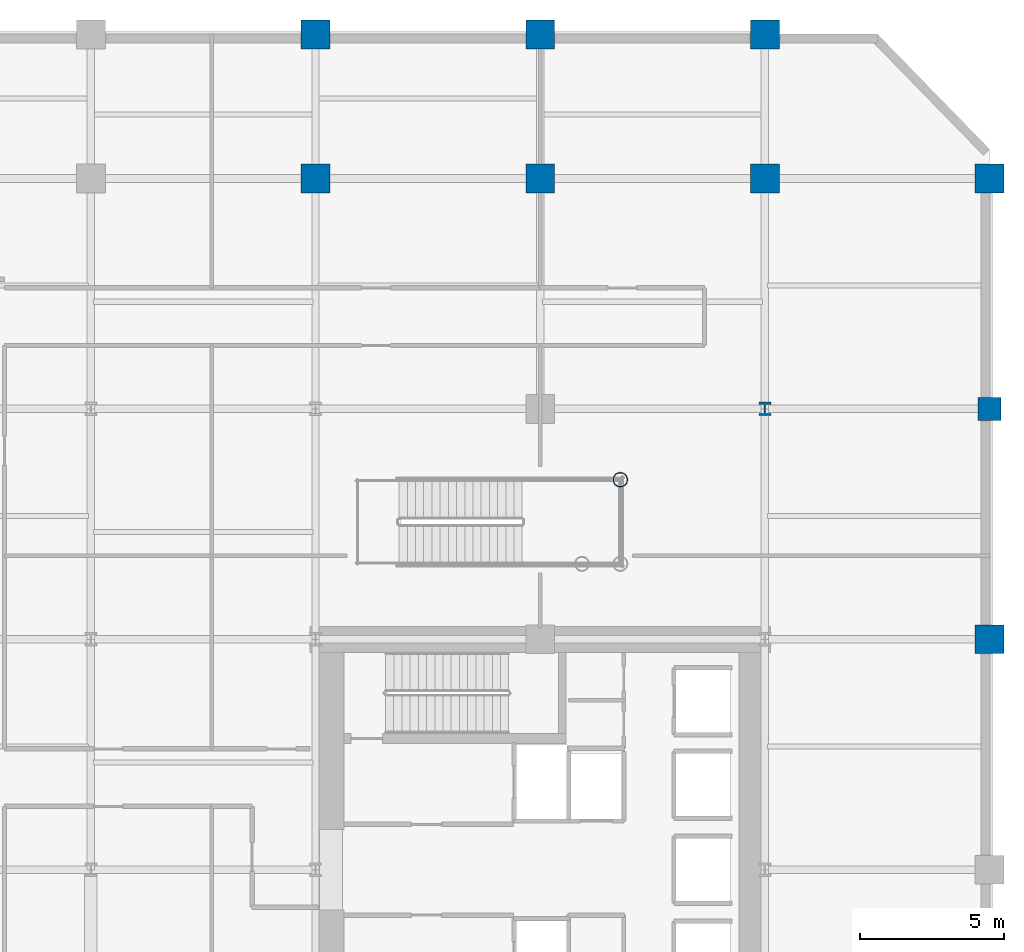
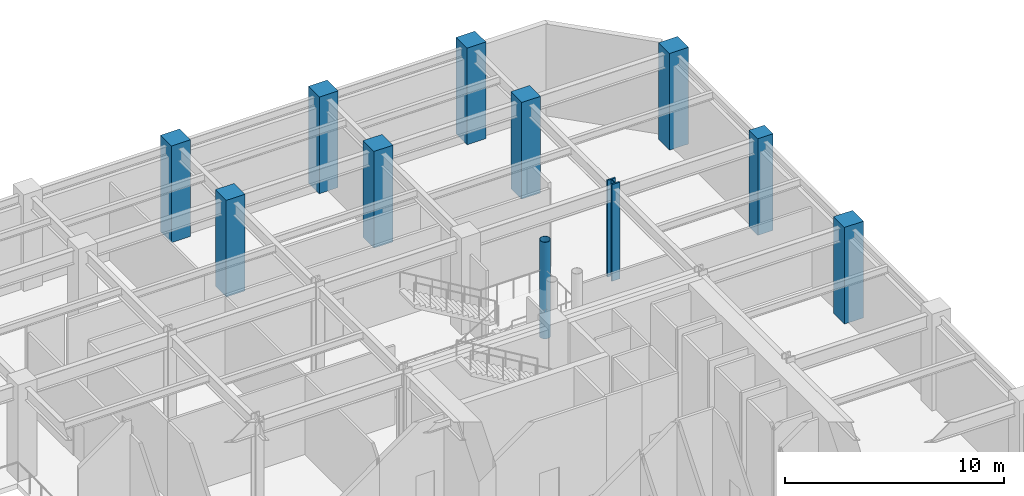
# One storey, part 5 of 15: 11 columns.
"""IFC4 building model written with IfcOpenShell, lengths in metres."""

from ifc_helpers import new_model, si_unit, direction, frame, origin, origin_2d, place, context, subcontext, project, spatial, rectangle, hollow_circle, i_section, extrude, material, material_profile, profile_set, type_object, element, save


model = new_model("IFC4")

# Units and contexts
model_context = context("Model", 3, precision=1e-05, world=origin(), true_north=direction((0.0, 1.0)))
body_context = subcontext(model_context, "Body", "Model", "MODEL_VIEW")
ifc_project = project(units=[si_unit("LENGTHUNIT", "METRE"), si_unit("AREAUNIT", "SQUARE_METRE"), si_unit("VOLUMEUNIT", "CUBIC_METRE"), si_unit("PLANEANGLEUNIT", "RADIAN"), si_unit("MASSUNIT", "GRAM", prefix="KILO")], contexts=[model_context])

# Site, building, storey
site_placement = place(None, origin())
site = spatial("IfcSite", under=ifc_project, at=site_placement, CompositionType="ELEMENT")
building_placement = place(site_placement, origin())
building = spatial("IfcBuilding", under=site, at=building_placement, Name="Veymaron Broadcast Tower", CompositionType="ELEMENT")
storey_placement = place(building_placement, frame((0.0, 0.0, 5.39990234375)))
storey = spatial("IfcBuildingStorey", under=building, at=storey_placement, Name="L01", CompositionType="ELEMENT", Elevation=5.39990234375)

# Columns
ifc_material_1 = material(Name="Structural steel ASTM A913 Gr 65", Category="steel")
ifc_material_profile_1 = material_profile(ifc_material_1, i_section(OverallWidth=0.424072265625, OverallDepth=0.47412109375, WebThickness=0.047607421875, FlangeThickness=0.076904296875, at=origin_2d()), Name="W360X634")
ifc_profile_set_1 = profile_set([ifc_material_profile_1], Name="Structural steel ASTM A913 Gr 65")
column_type_1 = type_object("IfcColumnType", Name="COL-MC1", PredefinedType="COLUMN", material=ifc_profile_set_1)
column_1_placement = place(storey_placement, frame((54.60009765625, 40.0, 0.0), z_axis=(0.0, 0.0, 1.0), x_axis=(1.0, 0.0, 0.0)))
element("IfcColumn", 1, at=column_1_placement, inside=storey, type_object=column_type_1, Name="L01 column (54.6, 40.0)", PredefinedType="COLUMN", context=body_context, shape_type="SweptSolid", body=[
    extrude(i_section(OverallWidth=0.424072265625, OverallDepth=0.47412109375, WebThickness=0.047607421875, FlangeThickness=0.076904296875, at=origin_2d()), origin(), (0.0, 0.0, 1.0), 5.39501953125),
])
ifc_material_2 = material(Name="Structural steel ASTM A992 Gr 50", Category="steel")
ifc_material_profile_2 = material_profile(ifc_material_2, hollow_circle(Radius=0.25390625, WallThickness=0.02001953125, at=origin_2d()), Name="CHS508X20")
ifc_profile_set_2 = profile_set([ifc_material_profile_2], Name="Structural steel ASTM A992 Gr 50")
column_type_2 = type_object("IfcColumnType", Name="COL-PL2", PredefinedType="COLUMN", material=ifc_profile_set_2)
column_2_placement = place(storey_placement, frame((49.580078125, 37.5400390625, 0.0), z_axis=(0.0, 0.0, 1.0), x_axis=(1.0, 0.0, 0.0)))
element("IfcColumn", 2, at=column_2_placement, inside=storey, type_object=column_type_2, Name="L01 feature stair support column", PredefinedType="COLUMN", context=body_context, shape_type="SweptSolid", body=[
    extrude(hollow_circle(Radius=0.25390625, WallThickness=0.02001953125, at=origin_2d()), origin(), (0.0, 0.0, 1.0), 5.39404296875),
])
ifc_material_3 = material(Name="Concrete C60/75", Category="concrete")
ifc_material_profile_3 = material_profile(ifc_material_3, rectangle(XDim=1.0, YDim=1.0, at=origin_2d()), Name="RC1000X1000")
ifc_profile_set_3 = profile_set([ifc_material_profile_3], Name="Concrete C60/75")
column_type_3 = type_object("IfcColumnType", Name="COL-RC3", PredefinedType="COLUMN", material=ifc_profile_set_3)
for number, where, z_axis, x_axis, name in (
    (3, (39.0, 48.0, 0.0), (0.0, 0.0, 1.0), (1.0, 0.0, 0.0), "L01 column (39.0, 48.0)"),
    (4, (39.0, 53.0, 0.0), (0.0, 0.0, 1.0), (1.0, 0.0, 0.0), "L01 column (39.0, 53.0)"),
    (5, (46.800048828125, 48.0, 0.0), (0.0, 0.0, 1.0), (1.0, 0.0, 0.0), "L01 column (46.8, 48.0)"),
    (6, (46.800048828125, 53.0, 0.0), (0.0, 0.0, 1.0), (1.0, 0.0, 0.0), "L01 column (46.8, 53.0)"),
    (7, (54.60009765625, 48.0, 0.0), (0.0, 0.0, 1.0), (1.0, 0.0, 0.0), "L01 column (54.6, 48.0)"),
    (8, (54.60009765625, 53.0, 0.0), (0.0, 0.0, 1.0), (1.0, 0.0, 0.0), "L01 column (54.6, 53.0)"),
    (9, (62.39990234375, 32.0, 0.0), (0.0, 0.0, 1.0), (1.0, 0.0, 0.0), "L01 column (62.4, 32.0)"),
    (10, (62.39990234375, 48.0, 0.0), (0.0, 0.0, 1.0), (1.0, 0.0, 0.0), "L01 column (62.4, 48.0)"),
):
    element("IfcColumn", number, at=place(storey_placement, frame(where, z_axis=z_axis, x_axis=x_axis)), inside=storey, type_object=column_type_3, Name=name, PredefinedType="COLUMN", context=body_context, shape_type="SweptSolid", body=[
        extrude(rectangle(XDim=1.0, YDim=1.0, at=origin_2d()), origin(), (0.0, 0.0, 1.0), 5.39501953125),
    ])
ifc_material_4 = material(Name="Concrete C50/60", Category="concrete")
ifc_material_profile_4 = material_profile(ifc_material_4, rectangle(XDim=0.800048828125, YDim=0.800048828125, at=origin_2d()), Name="RC800X800")
ifc_profile_set_4 = profile_set([ifc_material_profile_4], Name="Concrete C50/60")
column_type_4 = type_object("IfcColumnType", Name="COL-RC5", PredefinedType="COLUMN", material=ifc_profile_set_4)
column_3_placement = place(storey_placement, frame((62.39990234375, 40.0, 0.0), z_axis=(0.0, 0.0, 1.0), x_axis=(1.0, 0.0, 0.0)))
element("IfcColumn", 11, at=column_3_placement, inside=storey, type_object=column_type_4, Name="L01 column (62.4, 40.0)", PredefinedType="COLUMN", context=body_context, shape_type="SweptSolid", body=[
    extrude(rectangle(XDim=0.800048828125, YDim=0.800048828125, at=origin_2d()), origin(), (0.0, 0.0, 1.0), 5.39501953125),
])

save(model, "model.ifc")
